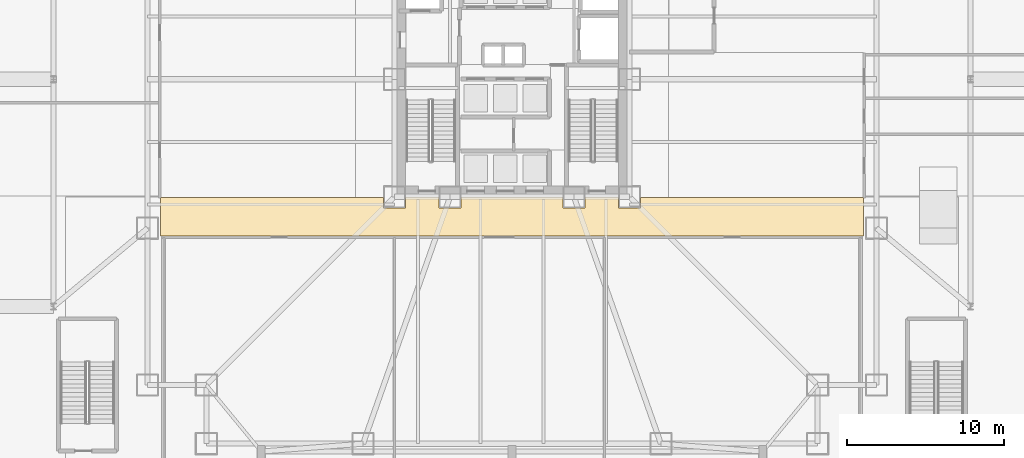
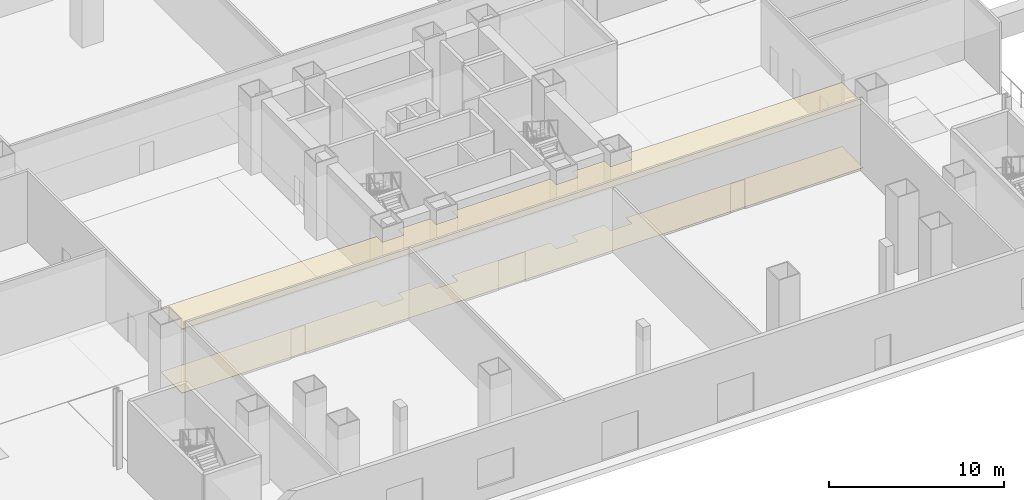
# One storey, part 16 of 24: 2 coverings.
"""IFC4 building model written with IfcOpenShell, lengths in metres."""

from ifc_helpers import new_model, si_unit, direction, frame, origin, place, context, subcontext, project, spatial, polyline, outline, extrude, material, layer, layer_set, type_object, element, save


model = new_model("IFC4")

# Units and contexts
model_context = context("Model", 3, precision=1e-05, world=origin(), true_north=direction((0.0, 1.0)))
body_context = subcontext(model_context, "Body", "Model", "MODEL_VIEW")
ifc_project = project(units=[si_unit("LENGTHUNIT", "METRE"), si_unit("AREAUNIT", "SQUARE_METRE"), si_unit("VOLUMEUNIT", "CUBIC_METRE"), si_unit("PLANEANGLEUNIT", "RADIAN"), si_unit("MASSUNIT", "GRAM", prefix="KILO")], contexts=[model_context])

# Site, building, storey
site_placement = place(None, origin())
site = spatial("IfcSite", under=ifc_project, at=site_placement, CompositionType="ELEMENT")
building_placement = place(site_placement, origin())
building = spatial("IfcBuilding", under=site, at=building_placement, Name="Trevonay Congress Spire", CompositionType="ELEMENT")
storey_placement = place(building_placement, origin())
storey = spatial("IfcBuildingStorey", under=building, at=storey_placement, Name="L00", CompositionType="ELEMENT", Elevation=0.0)

# Coverings
ifc_material_1 = material(Name="Acoustic Mineral Fibre Board", Category="gypsum")
ifc_layer_1 = layer(ifc_material_1, 0.02490234375, Name="Acoustic Mineral Fibre Board")
ifc_layer_set_1 = layer_set([ifc_layer_1], Name="Acoustic Mineral Fibre Board")
covering_type_1 = type_object("IfcCoveringType", Name="COV-CEIL-ACOUSTIC", PredefinedType="CEILING", material=ifc_layer_set_1)
covering_1_placement = place(storey_placement, frame((0.0, 0.0, 4.449951171875)))
element("IfcCovering", 1, at=covering_1_placement, inside=storey, type_object=covering_type_1, Name="L00 L00 Grand Concourse South acoustic suspended ceiling", PredefinedType="CEILING", context=body_context, shape_type="SweptSolid", body=[
    extrude(outline(polyline([(22.419921875, -7.550048828125), (22.419921875, -10.0), (-22.419921875, -10.0), (-22.419921875, -7.550048828125), (-8.2099609375, -7.550048828125), (-8.2099609375, -8.2099609375), (-6.7900390625, -8.2099609375), (-6.7900390625, -7.550048828125), (-4.659912109375, -7.550048828125), (-4.659912109375, -8.2099609375), (-3.239990234375, -8.2099609375), (-3.239990234375, -7.550048828125), (3.239990234375, -7.550048828125), (3.239990234375, -8.2099609375), (4.659912109375, -8.2099609375), (4.659912109375, -7.550048828125), (6.7900390625, -7.550048828125), (6.7900390625, -8.2099609375), (8.2099609375, -8.2099609375), (8.2099609375, -7.550048828125), (22.419921875, -7.550048828125)])), origin(), (0.0, 0.0, 1.0), 0.025146484375),
])
ifc_material_2 = material(Name="Polished Granite Floor Tile", Category="masonry")
ifc_layer_2 = layer(ifc_material_2, 0.02001953125, Name="Polished Granite Floor Tile")
ifc_layer_set_2 = layer_set([ifc_layer_2], Name="Polished Granite Floor Tile")
covering_type_2 = type_object("IfcCoveringType", Name="COV-FLOOR-STONE", PredefinedType="FLOORING", material=ifc_layer_set_2)
covering_2_placement = place(storey_placement, origin())
element("IfcCovering", 2, at=covering_2_placement, inside=storey, type_object=covering_type_2, Name="L00 L00 Grand Concourse South floor finish", PredefinedType="FLOORING", context=body_context, shape_type="SweptSolid", body=[
    extrude(outline(polyline([(22.419921875, -7.550048828125), (22.419921875, -10.0), (-22.419921875, -10.0), (-22.419921875, -7.550048828125), (-8.2099609375, -7.550048828125), (-8.2099609375, -8.2099609375), (-6.7900390625, -8.2099609375), (-6.7900390625, -7.550048828125), (-4.659912109375, -7.550048828125), (-4.659912109375, -8.2099609375), (-3.239990234375, -8.2099609375), (-3.239990234375, -7.550048828125), (3.239990234375, -7.550048828125), (3.239990234375, -8.2099609375), (4.659912109375, -8.2099609375), (4.659912109375, -7.550048828125), (6.7900390625, -7.550048828125), (6.7900390625, -8.2099609375), (8.2099609375, -8.2099609375), (8.2099609375, -7.550048828125), (22.419921875, -7.550048828125)])), origin(), (0.0, 0.0, 1.0), 0.02001953125),
])

save(model, "model.ifc")
